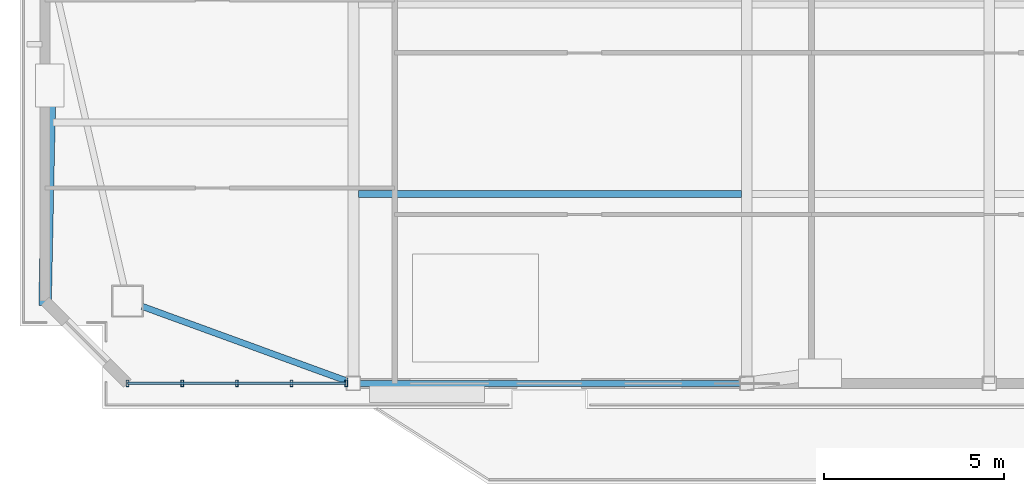
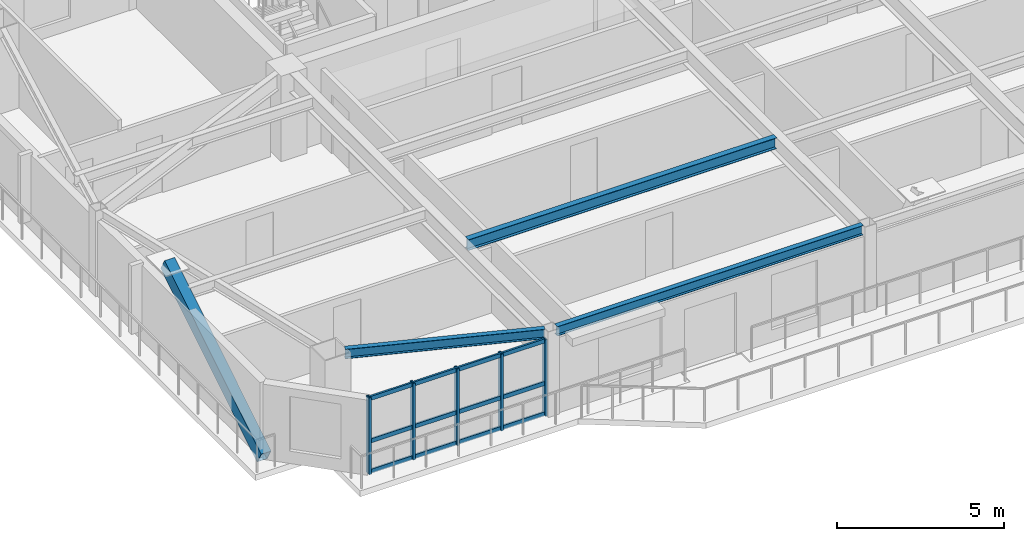
# One storey, part 2 of 13: 9 members, 3 beams, 1 element without a shape of its own.
"""IFC4 building model written with IfcOpenShell, lengths in metres."""

from ifc_helpers import new_model, si_unit, direction, frame, origin, origin_2d, place, context, subcontext, project, spatial, hollow_rectangle, i_section, extrude, source, transform, mapped, material, layer, layer_set, material_profile, profile_set, type_object, element, aggregate, save


model = new_model("IFC4")

# Units and contexts
model_context = context("Model", 3, precision=1e-05, world=origin(), true_north=direction((0.0, 1.0)))
body_context = subcontext(model_context, "Body", "Model", "MODEL_VIEW")
ifc_project = project(units=[si_unit("LENGTHUNIT", "METRE"), si_unit("AREAUNIT", "SQUARE_METRE"), si_unit("VOLUMEUNIT", "CUBIC_METRE"), si_unit("PLANEANGLEUNIT", "RADIAN"), si_unit("MASSUNIT", "GRAM", prefix="KILO")], contexts=[model_context])

# Site, building, storey
site_placement = place(None, origin())
site = spatial("IfcSite", under=ifc_project, at=site_placement, CompositionType="ELEMENT")
building_placement = place(site_placement, origin())
building = spatial("IfcBuilding", under=site, at=building_placement, Name="Giltprow Tower", CompositionType="ELEMENT")
storey_placement = place(building_placement, frame((0.0, 0.0, 324.39990234375)))
storey = spatial("IfcBuildingStorey", under=building, at=storey_placement, Name="L84", CompositionType="ELEMENT", Elevation=324.39990234375)

# Beams
ifc_material_1 = material(Name="Structural steel Q355B", Category="steel")
ifc_material_profile_1 = material_profile(ifc_material_1, i_section(OverallWidth=0.199951171875, OverallDepth=0.39990234375, WebThickness=0.008056640625, FlangeThickness=0.012939453125, at=origin_2d()), Name="HN 400x200x8x13")
ifc_profile_set_1 = profile_set([ifc_material_profile_1], Name="Structural steel Q355B")
beam_type_1 = type_object("IfcBeamType", Name="BM-JOIST-HN400", PredefinedType="JOIST", material=ifc_profile_set_1)
shared_shape_1 = source(origin(), body_context, "Body", "SweptSolid", [
    extrude(i_section(OverallWidth=0.199951171875, OverallDepth=0.39990234375, WebThickness=0.008056640625, FlangeThickness=0.012939453125, at=origin_2d()), origin(), (0.0, 0.0, 1.0), 10.659912109375),
])
beam_1_placement = place(storey_placement, frame((19.9951171875, 26.906982421875, 2.920166015625), z_axis=(1.0, 0.0, 0.0), x_axis=(0.0, 1.0, 0.0)))
element("IfcBeam", 1, at=beam_1_placement, inside=storey, type_object=beam_type_1, Name="L84 Composite Floor Joist 1-1", PredefinedType="JOIST", context=body_context, shape_type="MappedRepresentation", body=[
    mapped(shared_shape_1, transform((0.0, 0.0, 0.0), x_axis=(1.0, 0.0, 0.0), y_axis=(0.0, 1.0, 0.0), z_axis=(0.0, 0.0, 1.0), scale=1.0)),
])
ifc_material_profile_2 = material_profile(ifc_material_1, i_section(OverallWidth=0.175048828125, OverallDepth=0.35009765625, WebThickness=0.007080078125, FlangeThickness=0.010986328125, at=origin_2d()), Name="HN 350x175x7x11")
ifc_profile_set_2 = profile_set([ifc_material_profile_2], Name="Structural steel Q355B")
beam_type_2 = type_object("IfcBeamType", Name="BM-SPAN-HN350", PredefinedType="SPANDREL", material=ifc_profile_set_2)
shared_shape_2 = source(origin(), body_context, "Body", "SweptSolid", [
    extrude(i_section(OverallWidth=0.175048828125, OverallDepth=0.35009765625, WebThickness=0.007080078125, FlangeThickness=0.010986328125, at=origin_2d()), origin(), (0.0, 0.0, 1.0), 10.580078125),
])
beam_2_placement = place(storey_placement, frame((20.034912109375, 21.635986328125, 2.945068359375), z_axis=(1.0, 0.0, 0.0), x_axis=(0.0, 1.0, 0.0)))
element("IfcBeam", 2, at=beam_2_placement, inside=storey, type_object=beam_type_2, Name="L84 Perimeter Spandrel Beam S1-S2", PredefinedType="SPANDREL", context=body_context, shape_type="MappedRepresentation", body=[
    mapped(shared_shape_2, transform((0.0, 0.0, 0.0), x_axis=(1.0, 0.0, 0.0), y_axis=(0.0, 1.0, 0.0), z_axis=(0.0, 0.0, 1.0), scale=1.0)),
])
shared_shape_3 = source(origin(), body_context, "Body", "SweptSolid", [
    extrude(i_section(OverallWidth=0.175048828125, OverallDepth=0.35009765625, WebThickness=0.007080078125, FlangeThickness=0.010986328125, at=origin_2d()), origin(), (0.0, 0.0, 1.0), 6.072509765625),
])
beam_3_placement = place(storey_placement, frame((13.970947265625, 23.779052734375, 2.945068359375), z_axis=(0.939501965711, -0.342543510265, 0.0), x_axis=(0.342543510265, 0.939501965711, 0.0)))
element("IfcBeam", 3, at=beam_3_placement, inside=storey, type_object=beam_type_2, Name="L84 Perimeter Spandrel Beam MC_SW-S1", PredefinedType="SPANDREL", context=body_context, shape_type="MappedRepresentation", body=[
    mapped(shared_shape_3, transform((0.0, 0.0, 0.0), x_axis=(1.0, 0.0, 0.0), y_axis=(0.0, 1.0, 0.0), z_axis=(0.0, 0.0, 1.0), scale=1.0)),
])

# Member
ifc_material_2 = material(Name="Structural steel Q420GJC", Category="steel")
ifc_material_profile_3 = material_profile(ifc_material_2, hollow_rectangle(XDim=0.35009765625, YDim=0.5, WallThickness=0.02392578125, at=origin_2d()), Name="RHS 500x350x24")
ifc_profile_set_3 = profile_set([ifc_material_profile_3], Name="Structural steel Q420GJC")
member_type_1 = type_object("IfcMemberType", Name="MBR-MEGA-RHS500", PredefinedType="BRACE", material=ifc_profile_set_3)
shared_shape_4 = source(origin(), body_context, "Body", "SweptSolid", [
    extrude(hollow_rectangle(XDim=0.35009765625, YDim=0.5, WallThickness=0.02392578125, at=origin_2d()), origin(), (0.0, 0.0, 1.0), 6.893310546875),
])
member_1_placement = place(storey_placement, frame((11.27001953125, 23.927978515625, 0.0), z_axis=(0.018133460992, 0.869697789298, 0.493251389133), x_axis=(-0.999782703314, 0.020845770651, 0.0)))
element("IfcMember", 4, at=member_1_placement, inside=storey, type_object=member_type_1, Name="L84 Chevron Mega-Brace W-D", PredefinedType="BRACE", context=body_context, shape_type="MappedRepresentation", body=[
    mapped(shared_shape_4, transform((0.0, 0.0, 0.0), x_axis=(1.0, 0.0, 0.0), y_axis=(0.0, 1.0, 0.0), z_axis=(0.0, 0.0, 1.0), scale=1.0)),
])

# Curtain wall, members
ifc_material_3 = material(Name="Anodized bronze", Category="metal")
ifc_layer = layer(ifc_material_3, 0.179931640625, Name="Anodized bronze")
ifc_layer_set = layer_set([ifc_layer], Name="Anodized bronze")
curtain_wall_type = type_object("IfcCurtainWallType", Name="CW-RES-SKY", PredefinedType="NOTDEFINED", material=ifc_layer_set)
curtain_wall_placement = place(storey_placement, origin())
curtain_wall = element("IfcCurtainWall", 5, at=curtain_wall_placement, inside=storey, type_object=curtain_wall_type, Name="L84 South Recessed Curtain Wall 1", PredefinedType="NOTDEFINED")
ifc_material_profile_4 = material_profile(ifc_material_3, hollow_rectangle(XDim=0.074951171875, YDim=0.179931640625, WallThickness=0.008056640625, at=origin_2d()), Name="RHS 180x75x8")
ifc_profile_set_4 = profile_set([ifc_material_profile_4], Name="Anodized bronze")
member_type_2 = type_object("IfcMemberType", Name="CW-MULLION-180x75", PredefinedType="MULLION", material=ifc_profile_set_4)
shared_shape_5 = source(origin(), body_context, "Body", "SweptSolid", [
    extrude(hollow_rectangle(XDim=0.074951171875, YDim=0.179931640625, WallThickness=0.008056640625, at=origin_2d()), origin(), (0.0, 0.0, 1.0), 2.80517578125),
])
member_2_placement = place(storey_placement, frame((13.56201171875, 21.635986328125, -0.02001953125), z_axis=(0.0, 0.0, 1.0), x_axis=(1.0, 0.0, 0.0)))
member_2 = element("IfcMember", 6, at=member_2_placement, type_object=member_type_2, Name="L84 South Recessed Curtain Wall 1 Mullion 1", PredefinedType="MULLION", context=body_context, shape_type="MappedRepresentation", body=[
    mapped(shared_shape_5, transform((0.0, 0.0, 0.0), x_axis=(1.0, 0.0, 0.0), y_axis=(0.0, 1.0, 0.0), z_axis=(0.0, 0.0, 1.0), scale=1.0)),
])
member_3_placement = place(storey_placement, frame((15.083984375, 21.635986328125, -0.02001953125), z_axis=(0.0, 0.0, 1.0), x_axis=(1.0, 0.0, 0.0)))
member_3 = element("IfcMember", 7, at=member_3_placement, type_object=member_type_2, Name="L84 South Recessed Curtain Wall 1 Mullion 2", PredefinedType="MULLION", context=body_context, shape_type="MappedRepresentation", body=[
    mapped(shared_shape_5, transform((0.0, 0.0, 0.0), x_axis=(1.0, 0.0, 0.0), y_axis=(0.0, 1.0, 0.0), z_axis=(0.0, 0.0, 1.0), scale=1.0)),
])
member_4_placement = place(storey_placement, frame((16.60595703125, 21.635986328125, -0.02001953125), z_axis=(0.0, 0.0, 1.0), x_axis=(1.0, 0.0, 0.0)))
member_4 = element("IfcMember", 8, at=member_4_placement, type_object=member_type_2, Name="L84 South Recessed Curtain Wall 1 Mullion 3", PredefinedType="MULLION", context=body_context, shape_type="MappedRepresentation", body=[
    mapped(shared_shape_5, transform((0.0, 0.0, 0.0), x_axis=(1.0, 0.0, 0.0), y_axis=(0.0, 1.0, 0.0), z_axis=(0.0, 0.0, 1.0), scale=1.0)),
])
member_5_placement = place(storey_placement, frame((18.1279296875, 21.635986328125, -0.02001953125), z_axis=(0.0, 0.0, 1.0), x_axis=(1.0, 0.0, 0.0)))
member_5 = element("IfcMember", 9, at=member_5_placement, type_object=member_type_2, Name="L84 South Recessed Curtain Wall 1 Mullion 4", PredefinedType="MULLION", context=body_context, shape_type="MappedRepresentation", body=[
    mapped(shared_shape_5, transform((0.0, 0.0, 0.0), x_axis=(1.0, 0.0, 0.0), y_axis=(0.0, 1.0, 0.0), z_axis=(0.0, 0.0, 1.0), scale=1.0)),
])
member_6_placement = place(storey_placement, frame((19.64990234375, 21.635986328125, -0.02001953125), z_axis=(0.0, 0.0, 1.0), x_axis=(1.0, 0.0, 0.0)))
member_6 = element("IfcMember", 10, at=member_6_placement, type_object=member_type_2, Name="L84 South Recessed Curtain Wall 1 Mullion 5", PredefinedType="MULLION", context=body_context, shape_type="MappedRepresentation", body=[
    mapped(shared_shape_5, transform((0.0, 0.0, 0.0), x_axis=(1.0, 0.0, 0.0), y_axis=(0.0, 1.0, 0.0), z_axis=(0.0, 0.0, 1.0), scale=1.0)),
])
ifc_material_profile_5 = material_profile(ifc_material_3, hollow_rectangle(XDim=0.06494140625, YDim=0.14990234375, WallThickness=0.006103515625, at=origin_2d()), Name="RHS 150x65x6")
ifc_profile_set_5 = profile_set([ifc_material_profile_5], Name="Anodized bronze")
member_type_3 = type_object("IfcMemberType", Name="CW-TRANSOM-150x65", PredefinedType="USERDEFINED", material=ifc_profile_set_5)
shared_shape_6 = source(origin(), body_context, "Body", "SweptSolid", [
    extrude(hollow_rectangle(XDim=0.06494140625, YDim=0.14990234375, WallThickness=0.006103515625, at=origin_2d()), origin(), (0.0, 0.0, 1.0), 6.087890625),
])
member_7_placement = place(storey_placement, frame((13.56201171875, 21.635986328125, 0.0400390625), z_axis=(1.0, 0.0, 0.0), x_axis=(0.0, 1.0, 0.0)))
member_7 = element("IfcMember", 11, at=member_7_placement, type_object=member_type_3, Name="L84 South Recessed Curtain Wall 1 Transom 1", ObjectType="TRANSOM", PredefinedType="USERDEFINED", context=body_context, shape_type="MappedRepresentation", body=[
    mapped(shared_shape_6, transform((0.0, 0.0, 0.0), x_axis=(1.0, 0.0, 0.0), y_axis=(0.0, 1.0, 0.0), z_axis=(0.0, 0.0, 1.0), scale=1.0)),
])
member_8_placement = place(storey_placement, frame((13.56201171875, 21.635986328125, 1.155029296875), z_axis=(1.0, 0.0, 0.0), x_axis=(0.0, 1.0, 0.0)))
member_8 = element("IfcMember", 12, at=member_8_placement, type_object=member_type_3, Name="L84 South Recessed Curtain Wall 1 Transom 2", ObjectType="TRANSOM", PredefinedType="USERDEFINED", context=body_context, shape_type="MappedRepresentation", body=[
    mapped(shared_shape_6, transform((0.0, 0.0, 0.0), x_axis=(1.0, 0.0, 0.0), y_axis=(0.0, 1.0, 0.0), z_axis=(0.0, 0.0, 1.0), scale=1.0)),
])
member_9_placement = place(storey_placement, frame((13.56201171875, 21.635986328125, 2.710205078125), z_axis=(1.0, 0.0, 0.0), x_axis=(0.0, 1.0, 0.0)))
member_9 = element("IfcMember", 13, at=member_9_placement, type_object=member_type_3, Name="L84 South Recessed Curtain Wall 1 Transom 3", ObjectType="TRANSOM", PredefinedType="USERDEFINED", context=body_context, shape_type="MappedRepresentation", body=[
    mapped(shared_shape_6, transform((0.0, 0.0, 0.0), x_axis=(1.0, 0.0, 0.0), y_axis=(0.0, 1.0, 0.0), z_axis=(0.0, 0.0, 1.0), scale=1.0)),
])
aggregate(curtain_wall, [member_2, member_3, member_4, member_5, member_6, member_7, member_8, member_9])

save(model, "model.ifc")
